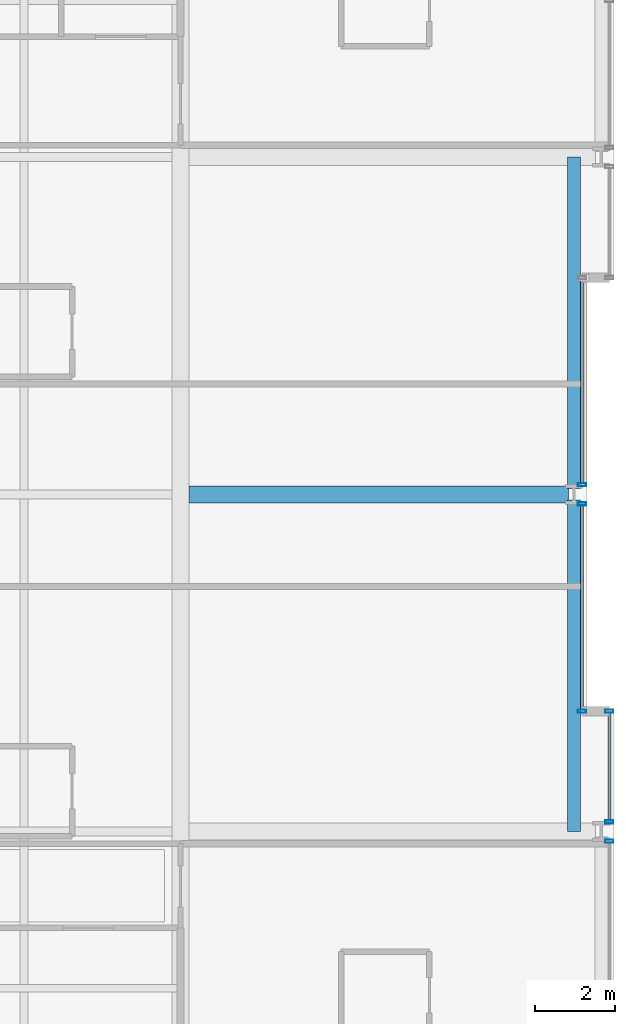
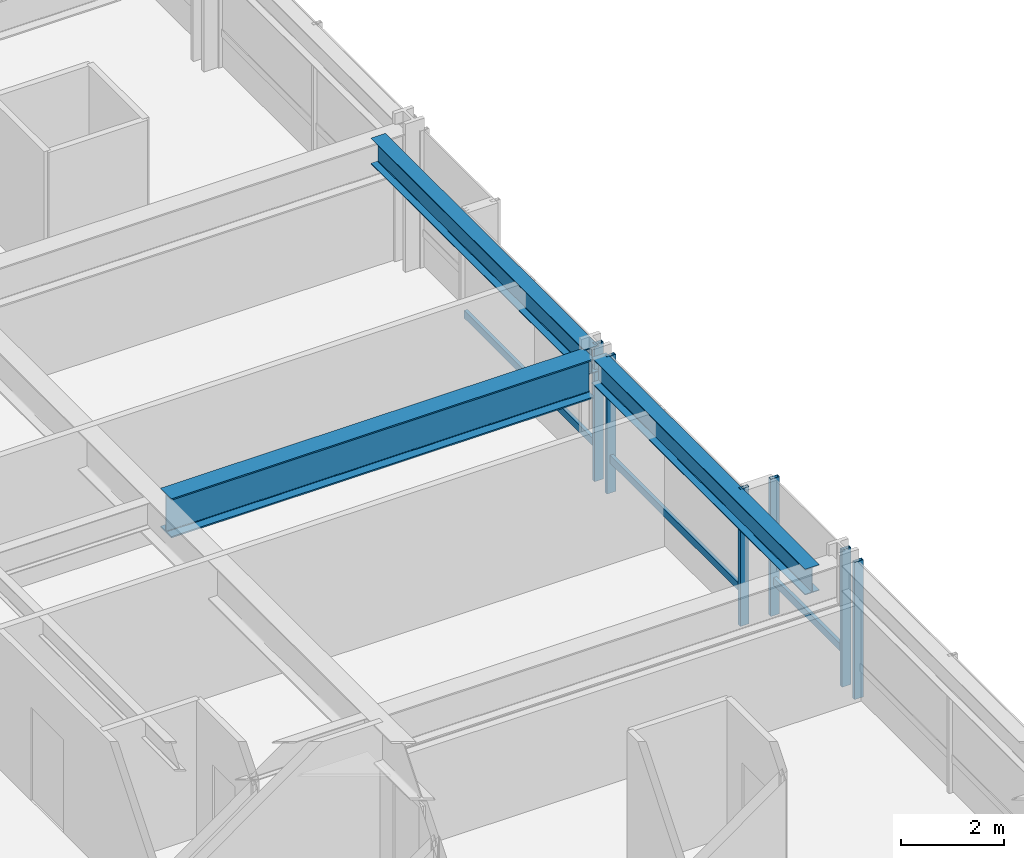
# One storey, part 16 of 38: 9 members, 3 beams, 4 elements without a shape of their own.
"""IFC4 building model written with IfcOpenShell, lengths in metres."""

from ifc_helpers import new_model, si_unit, direction, frame, origin, origin_2d, place, context, subcontext, project, spatial, hollow_rectangle, i_section, extrude, material, layer, layer_set, material_profile, profile_set, type_object, element, aggregate, save


model = new_model("IFC4")

# Units and contexts
model_context = context("Model", 3, precision=1e-05, world=origin(), true_north=direction((0.0, 1.0)))
body_context = subcontext(model_context, "Body", "Model", "MODEL_VIEW")
ifc_project = project(units=[si_unit("LENGTHUNIT", "METRE"), si_unit("AREAUNIT", "SQUARE_METRE"), si_unit("VOLUMEUNIT", "CUBIC_METRE"), si_unit("PLANEANGLEUNIT", "RADIAN"), si_unit("MASSUNIT", "GRAM", prefix="KILO")], contexts=[model_context])

# Site, building, storey
site_placement = place(None, origin())
site = spatial("IfcSite", under=ifc_project, at=site_placement, CompositionType="ELEMENT")
building_placement = place(site_placement, origin())
building = spatial("IfcBuilding", under=site, at=building_placement, Name="Drelvath Grand Hotel", CompositionType="ELEMENT")
storey_placement = place(building_placement, frame((0.0, 0.0, 57.699951171875)))
storey = spatial("IfcBuildingStorey", under=building, at=storey_placement, Name="L13", CompositionType="ELEMENT", Elevation=57.699951171875)

# Curtain wall, member
ifc_material_1 = material(Name="Warm Bronze Anodised Aluminium Frame", Category="aluminium")
ifc_layer = layer(ifc_material_1, 0.199951171875)
ifc_layer_set = layer_set([ifc_layer], Name="Warm Bronze Anodised Aluminium Frame")
curtain_wall_type = type_object("IfcCurtainWallType", Name="Stick Curtain Wall CW-02 Warm Bronze Low-Rise", PredefinedType="NOTDEFINED", material=ifc_layer_set)
curtain_wall_1_placement = place(storey_placement, origin())
curtain_wall_1 = element("IfcCurtainWall", 1, at=curtain_wall_1_placement, inside=storey, type_object=curtain_wall_type, Name="L13 CW-02 Curtain Wall CW02-L13-EM1", PredefinedType="NOTDEFINED")
ifc_material_profile_1 = material_profile(ifc_material_1, hollow_rectangle(XDim=0.074951171875, YDim=0.179931640625, WallThickness=0.0048828125, at=origin_2d()), Name="HSS180X75X5")
ifc_profile_set_1 = profile_set([ifc_material_profile_1], Name="Warm Bronze Anodised Aluminium Frame")
member_type_1 = type_object("IfcMemberType", Name="Curtain Wall Horizontal Transom CW-02 HSS180X75X5", PredefinedType="USERDEFINED", material=ifc_profile_set_1)
member_1_placement = place(storey_placement, frame((26.199951171875, 26.718994140625, 0.81005859375), z_axis=(0.0, -1.0, 0.0), x_axis=(1.0, 0.0, 0.0)))
member_1 = element("IfcMember", 2, at=member_1_placement, type_object=member_type_1, Name="CW02-L13-EM1 Sill Transom", ObjectType="TRANSOM", PredefinedType="USERDEFINED", context=body_context, shape_type="SweptSolid", body=[
    extrude(hollow_rectangle(XDim=0.074951171875, YDim=0.179931640625, WallThickness=0.0048828125, at=origin_2d()), origin(), (0.0, 0.0, 1.0), 5.0791015625),
])

curtain_wall_2_placement = place(storey_placement, origin())
curtain_wall_2 = element("IfcCurtainWall", 3, at=curtain_wall_2_placement, inside=storey, type_object=curtain_wall_type, Name="L13 CW-02 Curtain Wall CW02-L13-EM2", PredefinedType="NOTDEFINED")
member_2_placement = place(storey_placement, frame((26.199951171875, 32.360107421875, 0.81005859375), z_axis=(0.0, -1.0, 0.0), x_axis=(1.0, 0.0, 0.0)))
member_2 = element("IfcMember", 4, at=member_2_placement, type_object=member_type_1, Name="CW02-L13-EM2 Sill Transom", ObjectType="TRANSOM", PredefinedType="USERDEFINED", context=body_context, shape_type="SweptSolid", body=[
    extrude(hollow_rectangle(XDim=0.074951171875, YDim=0.179931640625, WallThickness=0.0048828125, at=origin_2d()), origin(), (0.0, 0.0, 1.0), 5.0791015625),
])

curtain_wall_3_placement = place(storey_placement, origin())
curtain_wall_3 = element("IfcCurtainWall", 5, at=curtain_wall_3_placement, inside=storey, type_object=curtain_wall_type, Name="L13 CW-02 Curtain Wall CW02-L13-ES3", PredefinedType="NOTDEFINED")
member_3_placement = place(storey_placement, frame((26.8798828125, 21.56005859375, 0.81005859375), z_axis=(0.0, -1.0, 0.0), x_axis=(1.0, 0.0, 0.0)))
member_3 = element("IfcMember", 6, at=member_3_placement, type_object=member_type_1, Name="CW02-L13-ES3 Sill Transom", ObjectType="TRANSOM", PredefinedType="USERDEFINED", context=body_context, shape_type="SweptSolid", body=[
    extrude(hollow_rectangle(XDim=0.074951171875, YDim=0.179931640625, WallThickness=0.0048828125, at=origin_2d()), origin(), (0.0, 0.0, 1.0), 2.67919921875),
])

# Member
ifc_material_profile_2 = material_profile(ifc_material_1, hollow_rectangle(XDim=0.080078125, YDim=0.199951171875, WallThickness=0.0048828125, at=origin_2d()), Name="HSS200X80X5")
ifc_profile_set_2 = profile_set([ifc_material_profile_2], Name="Warm Bronze Anodised Aluminium Frame")
member_type_2 = type_object("IfcMemberType", Name="Curtain Wall Vertical Mullion CW-02 HSS200X80X5", PredefinedType="MULLION", material=ifc_profile_set_2)
member_4_placement = place(storey_placement, frame((26.199951171875, 26.759033203125, 0.0), z_axis=(0.0, 0.0, 1.0), x_axis=(0.0, 1.0, 0.0)))
member_4 = element("IfcMember", 7, at=member_4_placement, type_object=member_type_2, Name="CW02-L13-EM1 Mullion 1", PredefinedType="MULLION", context=body_context, shape_type="SweptSolid", body=[
    extrude(hollow_rectangle(XDim=0.080078125, YDim=0.199951171875, WallThickness=0.0048828125, at=origin_2d()), origin(), (0.0, 0.0, 1.0), 3.239990234375),
])

member_5_placement = place(storey_placement, frame((26.199951171875, 21.60009765625, 0.0), z_axis=(0.0, 0.0, 1.0), x_axis=(0.0, 1.0, 0.0)))
member_5 = element("IfcMember", 8, at=member_5_placement, type_object=member_type_2, Name="CW02-L13-EM1 Mullion 2", PredefinedType="MULLION", context=body_context, shape_type="SweptSolid", body=[
    extrude(hollow_rectangle(XDim=0.080078125, YDim=0.199951171875, WallThickness=0.0048828125, at=origin_2d()), origin(), (0.0, 0.0, 1.0), 3.239990234375),
])

aggregate(curtain_wall_1, [member_4, member_5, member_1])

member_6_placement = place(storey_placement, frame((26.199951171875, 27.240966796875, 0.0), z_axis=(0.0, 0.0, 1.0), x_axis=(0.0, 1.0, 0.0)))
member_6 = element("IfcMember", 9, at=member_6_placement, type_object=member_type_2, Name="CW02-L13-EM2 Mullion 2", PredefinedType="MULLION", context=body_context, shape_type="SweptSolid", body=[
    extrude(hollow_rectangle(XDim=0.080078125, YDim=0.199951171875, WallThickness=0.0048828125, at=origin_2d()), origin(), (0.0, 0.0, 1.0), 3.239990234375),
])

aggregate(curtain_wall_2, [member_6, member_2])

# Curtain wall, member
curtain_wall_4_placement = place(storey_placement, origin())
curtain_wall_4 = element("IfcCurtainWall", 10, at=curtain_wall_4_placement, inside=storey, type_object=curtain_wall_type, Name="L13 CW-02 Curtain Wall CW02-L13-ES2", PredefinedType="NOTDEFINED")
member_7_placement = place(storey_placement, frame((26.8798828125, 18.359130859375, 0.0), z_axis=(0.0, 0.0, 1.0), x_axis=(0.0, 1.0, 0.0)))
member_7 = element("IfcMember", 11, at=member_7_placement, type_object=member_type_2, Name="CW02-L13-ES2 Mullion 1", PredefinedType="MULLION", context=body_context, shape_type="SweptSolid", body=[
    extrude(hollow_rectangle(XDim=0.080078125, YDim=0.199951171875, WallThickness=0.0048828125, at=origin_2d()), origin(), (0.0, 0.0, 1.0), 3.239990234375),
])
aggregate(curtain_wall_4, [member_7])

# Member
member_8_placement = place(storey_placement, frame((26.8798828125, 21.60009765625, 0.0), z_axis=(0.0, 0.0, 1.0), x_axis=(0.0, 1.0, 0.0)))
member_8 = element("IfcMember", 12, at=member_8_placement, type_object=member_type_2, Name="CW02-L13-ES3 Mullion 1", PredefinedType="MULLION", context=body_context, shape_type="SweptSolid", body=[
    extrude(hollow_rectangle(XDim=0.080078125, YDim=0.199951171875, WallThickness=0.0048828125, at=origin_2d()), origin(), (0.0, 0.0, 1.0), 3.239990234375),
])

member_9_placement = place(storey_placement, frame((26.8798828125, 18.8408203125, 0.0), z_axis=(0.0, 0.0, 1.0), x_axis=(0.0, 1.0, 0.0)))
member_9 = element("IfcMember", 13, at=member_9_placement, type_object=member_type_2, Name="CW02-L13-ES3 Mullion 2", PredefinedType="MULLION", context=body_context, shape_type="SweptSolid", body=[
    extrude(hollow_rectangle(XDim=0.080078125, YDim=0.199951171875, WallThickness=0.0048828125, at=origin_2d()), origin(), (0.0, 0.0, 1.0), 3.239990234375),
])

aggregate(curtain_wall_3, [member_8, member_9, member_3])

# Beams
ifc_material_2 = material(Name="Steel ASTM A992 Gr 50", Category="steel")
ifc_material_profile_3 = material_profile(ifc_material_2, i_section(OverallWidth=0.323974609375, OverallDepth=0.611083984375, WebThickness=0.0126953125, FlangeThickness=0.01904296875, FilletRadius=0.02197265625, at=origin_2d()), Name="W24X104")
ifc_profile_set_3 = profile_set([ifc_material_profile_3], Name="Steel ASTM A992 Gr 50")
beam_type_1 = type_object("IfcBeamType", Name="Perimeter Spandrel Beam W24X104", PredefinedType="SPANDREL", material=ifc_profile_set_3)
for number, where, z_axis, x_axis, name in (
    (14, (26.0, 18.60009765625, 2.9345703125), (0.0, 1.0, 0.0), (-1.0, 0.0, 0.0), "L13 Spandrel East Mid S"),
    (15, (26.0, 27.139892578125, 2.9345703125), (0.0, 1.0, 0.0), (-1.0, 0.0, 0.0), "L13 Spandrel East Mid N"),
):
    element("IfcBeam", number, at=place(storey_placement, frame(where, z_axis=z_axis, x_axis=x_axis)), inside=storey, type_object=beam_type_1, Name=name, PredefinedType="SPANDREL", context=body_context, shape_type="SweptSolid", body=[
        extrude(i_section(OverallWidth=0.323974609375, OverallDepth=0.611083984375, WebThickness=0.0126953125, FlangeThickness=0.01904296875, FilletRadius=0.02197265625, at=origin_2d()), origin(), (0.0, 0.0, 1.0), 8.260009765625),
    ])
ifc_material_profile_4 = material_profile(ifc_material_2, i_section(OverallWidth=0.418212890625, OverallDepth=0.926513671875, WebThickness=0.019287109375, FlangeThickness=0.031982421875, FilletRadius=0.028076171875, at=origin_2d()), Name="W36X231")
ifc_profile_set_4 = profile_set([ifc_material_profile_4], Name="Steel ASTM A992 Gr 50")
beam_type_2 = type_object("IfcBeamType", Name="Primary Floor Girder W36X231", PredefinedType="BEAM", material=ifc_profile_set_4)
beam_placement = place(storey_placement, frame((16.4091796875, 27.0, 2.77685546875), z_axis=(1.0, 0.0, 0.0), x_axis=(0.0, 1.0, 0.0)))
element("IfcBeam", 16, at=beam_placement, inside=storey, type_object=beam_type_2, Name="L13 East Wing Girder E", PredefinedType="BEAM", context=body_context, shape_type="SweptSolid", body=[
    extrude(i_section(OverallWidth=0.418212890625, OverallDepth=0.926513671875, WebThickness=0.019287109375, FlangeThickness=0.031982421875, FilletRadius=0.028076171875, at=origin_2d()), origin(), (0.0, 0.0, 1.0), 9.450927734375),
])

save(model, "model.ifc")
